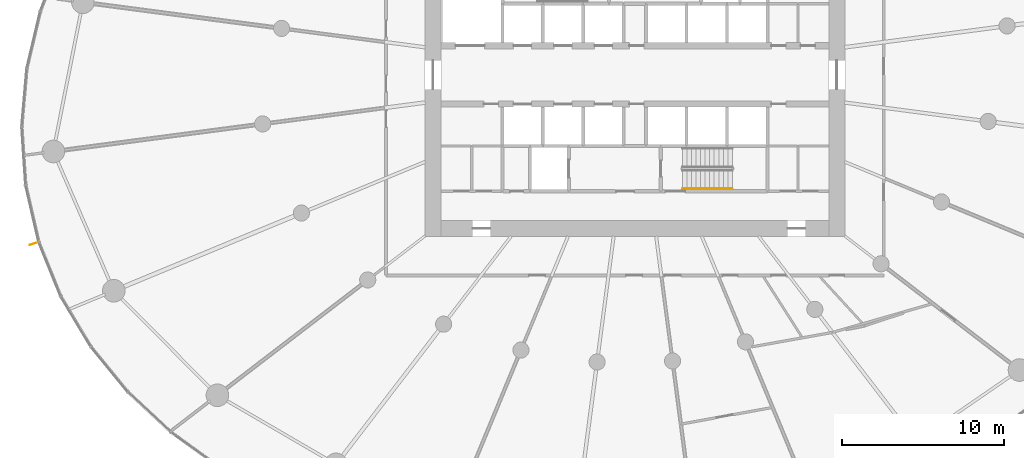
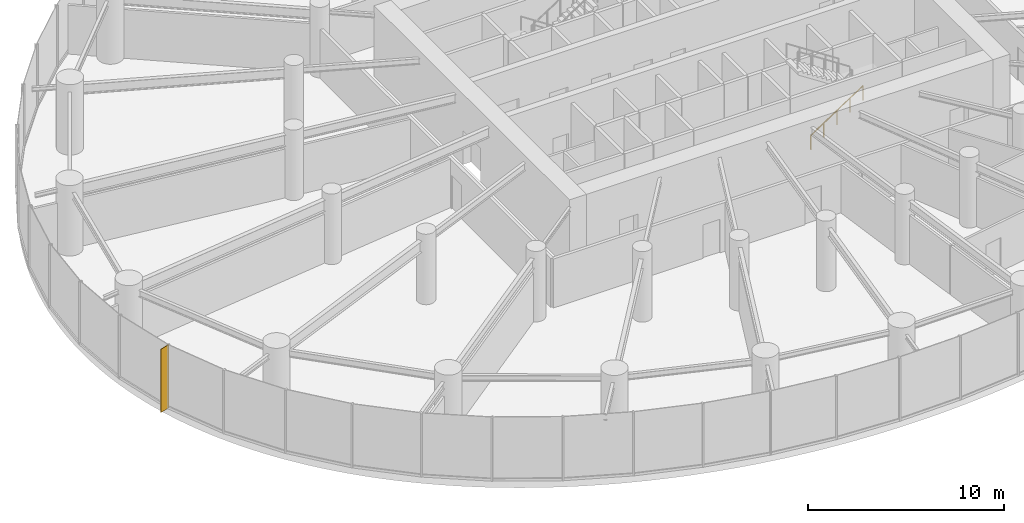
# One storey, part 16 of 18: 1 railing, 1 shading device.
"""IFC4 building model written with IfcOpenShell, lengths in metres."""

from ifc_helpers import new_model, si_unit, direction, frame, origin, origin_2d, place, context, subcontext, project, spatial, rectangle, circle, extrude, source, transform, mapped, material, material_profile, profile_set, type_object, element, save


model = new_model("IFC4")

# Units and contexts
model_context = context("Model", 3, precision=1e-05, world=origin(), true_north=direction((0.0, 1.0)))
body_context = subcontext(model_context, "Body", "Model", "MODEL_VIEW")
ifc_project = project(units=[si_unit("LENGTHUNIT", "METRE"), si_unit("AREAUNIT", "SQUARE_METRE"), si_unit("VOLUMEUNIT", "CUBIC_METRE"), si_unit("PLANEANGLEUNIT", "RADIAN"), si_unit("MASSUNIT", "GRAM", prefix="KILO")], contexts=[model_context])

# Site, building, storey
site_placement = place(None, origin())
site = spatial("IfcSite", under=ifc_project, at=site_placement, CompositionType="ELEMENT")
building_placement = place(site_placement, origin())
building = spatial("IfcBuilding", under=site, at=building_placement, Name="Spindrift Exchange Tower", CompositionType="ELEMENT")
storey_placement = place(building_placement, frame((0.0, 0.0, 62.199951171875)))
storey = spatial("IfcBuildingStorey", under=building, at=storey_placement, Name="L14", CompositionType="ELEMENT", Elevation=62.199951171875)

# Railing
ifc_material_1 = material(Name="Steel tubular handrail", Category="steel")
railing_type = type_object("IfcRailingType", Name="RL-STAIR-HAND", PredefinedType="HANDRAIL", material=ifc_material_1)
railing_placement = place(storey_placement, frame((54.949951171875, 40.949951171875, 0.183349609375)))
element("IfcRailing", 1, at=railing_placement, inside=storey, type_object=railing_type, Name="L14 ST2 stair handrail 1", PredefinedType="HANDRAIL", context=body_context, shape_type="SweptSolid", body=[
    extrude(circle(Radius=0.02392578125, at=origin_2d()), frame((0.0, 0.0, 0.8759765625), z_axis=(0.836633000464, 0.0, 0.547763838287), x_axis=(0.0, 1.0, 0.0)), (0.0, 0.0, 1.0), 3.681396484375),
    extrude(circle(Radius=0.02099609375, at=origin_2d()), origin(), (0.0, 0.0, 1.0), 0.851806640625),
    extrude(circle(Radius=0.02099609375, at=origin_2d()), frame((0.77001953125, 0.0, 0.504150390625)), (0.0, 0.0, 1.0), 0.851806640625),
    extrude(circle(Radius=0.02099609375, at=origin_2d()), frame((1.5400390625, 0.0, 1.00830078125)), (0.0, 0.0, 1.0), 0.851806640625),
    extrude(circle(Radius=0.02099609375, at=origin_2d()), frame((2.31005859375, 0.0, 1.512451171875)), (0.0, 0.0, 1.0), 0.851806640625),
    extrude(circle(Radius=0.02099609375, at=origin_2d()), frame((3.080078125, 0.0, 2.0166015625)), (0.0, 0.0, 1.0), 0.851806640625),
])

# Shading device
ifc_material_2 = material(Name="Bronze anodised aluminium", Category="aluminium")
ifc_material_profile = material_profile(ifc_material_2, rectangle(XDim=0.030029296875, YDim=0.60009765625, at=origin_2d()), Name="WIND FIN 30X600")
ifc_profile_set = profile_set([ifc_material_profile], Name="Bronze anodised aluminium")
shading_device_type = type_object("IfcShadingDeviceType", Name="WIND FIN 30X600", PredefinedType="USERDEFINED", material=ifc_profile_set)
shared_shape = source(origin(), body_context, "Body", "SweptSolid", [
    extrude(rectangle(XDim=0.030029296875, YDim=0.60009765625, at=origin_2d()), origin(), (0.0, 0.0, 1.0), 3.949951171875),
])
shading_device_placement = place(storey_placement, frame((14.845458984375, 37.571533203125, 0.0), z_axis=(0.0, 0.0, 1.0), x_axis=(0.300815657815, -0.953682305599, 0.0)))
element("IfcShadingDevice", 2, at=shading_device_placement, inside=storey, type_object=shading_device_type, Name="L14 wind fin 1", ObjectType="FIN", PredefinedType="USERDEFINED", context=body_context, shape_type="MappedRepresentation", body=[
    mapped(shared_shape, transform((0.0, 0.0, 0.0), scale=1.0)),
])

save(model, "model.ifc")
